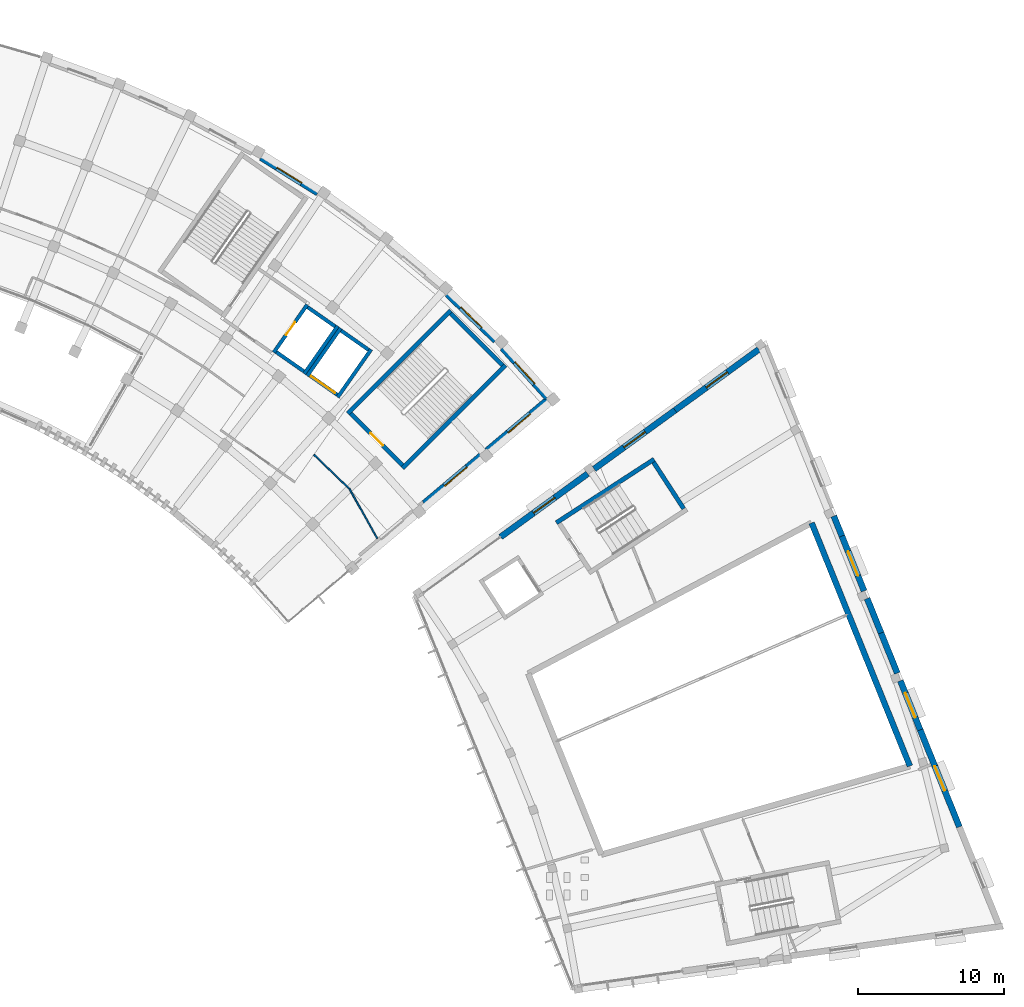
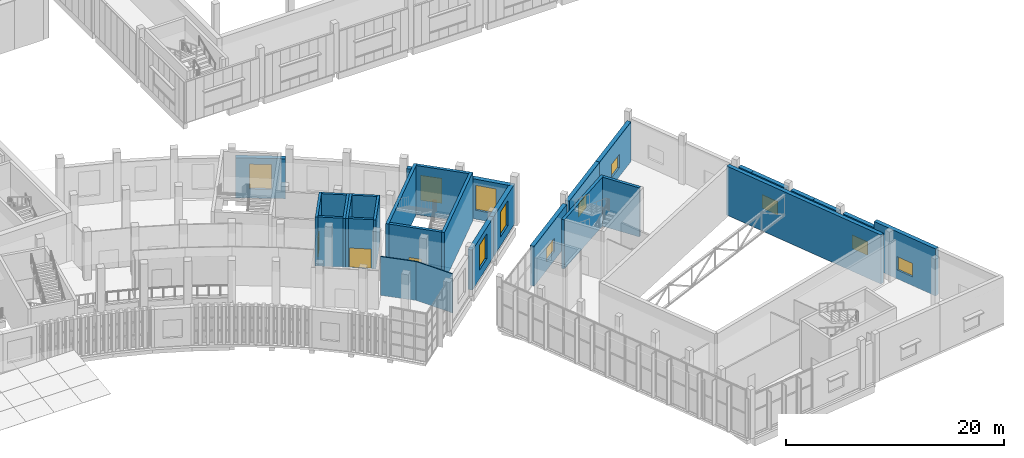
# One storey, part 62 of 112: 31 walls, 11 windows, 3 doors, 14 openings.
"""IFC4 building model written with IfcOpenShell, lengths in metres."""

import ifcopenshell
import ifcopenshell.guid

model = None  # the IFC model being written
_history = None  # IfcOwnerHistory: only IFC2X3 demands one
_inside = {}  # id of a spatial element -> (the spatial element, [elements in it])
_under = {}  # id of a project, library or spatial element -> (it, [spatial elements below it])
_declared = {}  # id of a project -> (the project, [libraries it declares])
_typed = {}  # id of a type object -> (the type object, [elements of that type])
_made_of = {}  # id of a material, layer set ... -> (it, [elements and type objects made of it])


def new_model(schema):
    """Start an empty IFC model of exactly this schema.

    Asked for "IFC4X3", IfcOpenShell would pick the latest addendum, in which some entities
    have other attributes; the version numbers below select the first issue.
    IFC2X3 requires an IfcOwnerHistory on every rooted entity: one is made here for all.
    """
    global model, _history
    if schema == "IFC4X3":
        model = ifcopenshell.file(schema_version=(4, 3, 0, 0))
    else:
        model = ifcopenshell.file(schema=schema)
    _inside.clear()
    _under.clear()
    _declared.clear()
    _typed.clear()
    _made_of.clear()
    _history = None
    if model.schema == "IFC2X3":
        org = make("IfcOrganization", Name="unknown")
        user = make(
            "IfcPersonAndOrganization",
            ThePerson=make("IfcPerson", FamilyName="unknown"),
            TheOrganization=org,
        )
        app = make(
            "IfcApplication",
            ApplicationDeveloper=org,
            Version="unknown",
            ApplicationFullName="unknown",
            ApplicationIdentifier="unknown",
        )
        _history = make(
            "IfcOwnerHistory",
            OwningUser=user,
            OwningApplication=app,
            ChangeAction="ADDED",
            CreationDate=0,
        )
    return model


def make(cls, **values):
    """One entity of the class cls with the attributes given. An attribute that is None is left unset."""
    return model.create_entity(
        cls, **{name: value for name, value in values.items() if value is not None}
    )


def rooted(cls, **values):
    """An entity with a GlobalId (a new one), such as an element, a storey or a relation."""
    return make(cls, GlobalId=ifcopenshell.guid.new(), OwnerHistory=_history, **values)


def si_unit(unit_type, name, prefix=None):
    """IfcSIUnit, for example si_unit("LENGTHUNIT", "METRE", prefix="MILLI")."""
    return make("IfcSIUnit", UnitType=unit_type, Prefix=prefix, Name=name)


def assignment(units):
    """IfcUnitAssignment: the units of a project."""
    return None if units is None else make("IfcUnitAssignment", Units=units)


def point(xyz):
    """IfcCartesianPoint."""
    return None if xyz is None else make("IfcCartesianPoint", Coordinates=xyz)


def direction(xyz):
    """IfcDirection."""
    return None if xyz is None else make("IfcDirection", DirectionRatios=xyz)


def frame(location, z_axis=None, x_axis=None):
    """IfcAxis2Placement3D, a coordinate frame: its origin and axes. An axis left out is left unset."""
    return make(
        "IfcAxis2Placement3D",
        Location=point(location),
        Axis=direction(z_axis),
        RefDirection=direction(x_axis),
    )


def frame_2d(location, x_axis=None):
    """IfcAxis2Placement2D, a coordinate frame in the plane: its origin and x axis."""
    return make(
        "IfcAxis2Placement2D", Location=point(location), RefDirection=direction(x_axis)
    )


def origin():
    """The frame at (0, 0, 0) with its axes left unset."""
    return frame((0.0, 0.0, 0.0))


def place(relative_to, where):
    """IfcLocalPlacement: puts the frame where relative to a parent placement (None: the world)."""
    return make(
        "IfcLocalPlacement", PlacementRelTo=relative_to, RelativePlacement=where
    )


def context(
    kind, dimensions, precision=None, world=None, true_north=None, identifier=None
):
    """IfcGeometricRepresentationContext, for example the 3D "Model" context."""
    return make(
        "IfcGeometricRepresentationContext",
        ContextIdentifier=identifier,
        ContextType=kind,
        CoordinateSpaceDimension=dimensions,
        Precision=precision,
        WorldCoordinateSystem=world,
        TrueNorth=true_north,
    )


def subcontext(parent, identifier, kind, view, scale=None):
    """IfcGeometricRepresentationSubContext, for example "Body" below "Model"."""
    return make(
        "IfcGeometricRepresentationSubContext",
        ContextIdentifier=identifier,
        ContextType=kind,
        ParentContext=parent,
        TargetScale=scale,
        TargetView=view,
    )


def project(units=None, contexts=None):
    """IfcProject with its units and contexts."""
    return rooted(
        "IfcProject",
        Name="project",
        RepresentationContexts=contexts,
        UnitsInContext=assignment(units),
    )


def spatial(cls, under=None, at=None, **own):
    """A site, building, storey or space (cls), placed at a placement, below another one or the project."""
    s = rooted(cls, ObjectPlacement=at, **own)
    if under is not None:
        _under.setdefault(under.id(), (under, []))[1].append(s)
    return s


def profile(cls, at=None, kind="AREA", **sizes):
    """A parametric profile (cls). Its sizes go by their IFC names, for example OverallWidth=200.0."""
    return make(cls, ProfileType=kind, Position=at, **sizes)


def rectangle(**sizes):
    """IfcRectangleProfileDef."""
    return profile("IfcRectangleProfileDef", **sizes)


def extrude(swept, where, along, depth):
    """IfcExtrudedAreaSolid: the profile swept, set in the frame where, extruded along a direction by depth."""
    return make(
        "IfcExtrudedAreaSolid",
        SweptArea=swept,
        Position=where,
        ExtrudedDirection=direction(along),
        Depth=depth,
    )


def shape(context_of_items, identifier, shape_type, items):
    """IfcShapeRepresentation: the items that make up one representation, for example the "Body"."""
    return make(
        "IfcShapeRepresentation",
        ContextOfItems=context_of_items,
        RepresentationIdentifier=identifier,
        RepresentationType=shape_type,
        Items=items,
    )


def material(Name=None, Category=None):
    """IfcMaterial."""
    return make("IfcMaterial", Name=Name, Category=Category)


def layer(
    of_material, thickness, ventilated=None, Name=None, Category=None, Priority=None
):
    """IfcMaterialLayer: one layer of a wall or slab, of a material (None: an air gap)."""
    return make(
        "IfcMaterialLayer",
        Material=of_material,
        LayerThickness=thickness,
        IsVentilated=ventilated,
        Name=Name,
        Category=Category,
        Priority=Priority,
    )


def layer_set(layers, Name=None):
    """IfcMaterialLayerSet."""
    return make("IfcMaterialLayerSet", MaterialLayers=layers, LayerSetName=Name)


def made_of(thing, what):
    """Note that an element or type object is made of a material, layer set ...; save() writes the relation."""
    if what is not None:
        _made_of.setdefault(what.id(), (what, []))[1].append(thing)
    return thing


def type_object(cls, material=None, **own):
    """A type object (cls), such as IfcWallType, which elements share."""
    return made_of(rooted(cls, **own), material)


def element(
    cls,
    number,
    at=None,
    inside=None,
    cuts=None,
    type_object=None,
    material=None,
    context=None,
    identifier="Body",
    shape_type=None,
    held_by="IfcProductDefinitionShape",
    body=None,
    shapes=None,
    **own,
):
    """One element of the class cls, such as IfcWall. Its Tag is "e" and its number.

    at: its placement. inside: the storey or other place that contains it. cuts: it is an
    opening in that element (IfcRelVoidsElement). A single representation is given by context,
    identifier, shape_type and body (its items); several are given by shapes. held_by: the class
    of the entity that holds the representations. save() writes the other relations.
    """
    e = rooted(cls, Tag="e%d" % number, ObjectPlacement=at, **own)
    if body is not None:
        shapes = [shape(context, identifier, shape_type, body)]
    if shapes is not None:
        e.Representation = make(held_by, Representations=shapes)
    if inside is not None:
        _inside.setdefault(inside.id(), (inside, []))[1].append(e)
    if cuts is not None:
        rooted(
            "IfcRelVoidsElement", RelatingBuildingElement=cuts, RelatedOpeningElement=e
        )
    if type_object is not None:
        _typed.setdefault(type_object.id(), (type_object, []))[1].append(e)
    return made_of(e, material)


def fill(opening, filler):
    """IfcRelFillsElement: the door or window that sits in an opening."""
    return rooted(
        "IfcRelFillsElement",
        RelatingOpeningElement=opening,
        RelatedBuildingElement=filler,
    )


def aggregate(whole, parts):
    """IfcRelAggregates: a whole, such as a stair, and the parts it consists of."""
    return rooted("IfcRelAggregates", RelatingObject=whole, RelatedObjects=parts)


def save(model, path):
    """Write the relations noted so far, then the file.

    IfcRelAggregates (storeys below a building ...), IfcRelContainedInSpatialStructure (elements
    in a storey), IfcRelDefinesByType, IfcRelAssociatesMaterial and IfcRelDeclares: one each for
    every whole, place, type object, material and project.
    """
    for whole, parts in _under.values():
        aggregate(whole, parts)
    for where, things in _inside.values():
        rooted(
            "IfcRelContainedInSpatialStructure",
            RelatedElements=things,
            RelatingStructure=where,
        )
    for kind, things in _typed.values():
        rooted("IfcRelDefinesByType", RelatedObjects=things, RelatingType=kind)
    for what, things in _made_of.values():
        rooted("IfcRelAssociatesMaterial", RelatedObjects=things, RelatingMaterial=what)
    for by, libraries in _declared.values():
        rooted("IfcRelDeclares", RelatingContext=by, RelatedDefinitions=libraries)
    model.write(path)


model = new_model("IFC4")

# Units and contexts
model_context = context("Model", 3, precision=1e-05, world=origin(), true_north=direction((0.0, 1.0)))
body_context = subcontext(model_context, "Body", "Model", "MODEL_VIEW")
ifc_project = project(units=[si_unit("LENGTHUNIT", "METRE"), si_unit("AREAUNIT", "SQUARE_METRE"), si_unit("VOLUMEUNIT", "CUBIC_METRE"), si_unit("PLANEANGLEUNIT", "RADIAN"), si_unit("MASSUNIT", "GRAM", prefix="KILO")], contexts=[model_context])

# Site, building, storey
site_placement = place(None, origin())
site = spatial("IfcSite", under=ifc_project, at=site_placement, CompositionType="ELEMENT")
building_placement = place(site_placement, origin())
building = spatial("IfcBuilding", under=site, at=building_placement, Name="Lunette Opera House", CompositionType="ELEMENT")
storey_placement = place(building_placement, frame((0.0, 0.0, 6.0)))
storey = spatial("IfcBuildingStorey", under=building, at=storey_placement, Name="L01", CompositionType="ELEMENT", Elevation=6.0)

# Wall, opening, window
ifc_material_1 = material(Name="Clinker brick", Category="masonry")
ifc_layer_1 = layer(ifc_material_1, 0.449951171875)
ifc_layer_set_1 = layer_set([ifc_layer_1], Name="Clinker brick")
wall_type_1 = type_object("IfcWallType", Name="ARM END WALL 450", PredefinedType="SOLIDWALL", material=ifc_layer_set_1)
wall_1_placement = place(storey_placement, frame((145.366943359375, 41.718017578125, 0.0), z_axis=(0.0, 0.0, 1.0), x_axis=(0.766076229388, 0.642749726384, 0.0)))
wall_1 = element("IfcWall", 1, at=wall_1_placement, inside=storey, type_object=wall_type_1, Name="Arm End Wall 450 EN-E2 L01", PredefinedType="SOLIDWALL", context=body_context, shape_type="SweptSolid", body=[
    extrude(rectangle(XDim=5.68359375, YDim=0.449951171875, at=frame_2d((2.841796875, 0.0))), origin(), (0.0, 0.0, 1.0), 4.47998046875),
])
opening_1_placement = place(wall_1_placement, frame((1.842041015625, 0.0, 1.0)))
opening_1 = element("IfcOpeningElement", 2, at=opening_1_placement, cuts=wall_1, Name="Opening FC-N2096", PredefinedType="OPENING", context=body_context, shape_type="SweptSolid", body=[
    extrude(rectangle(XDim=2.0, YDim=2.800048828125, at=frame_2d((1.0, 1.39990234375))), frame((0.0, 0.237060546875, 0.0), z_axis=(0.0, -1.0, 0.0), x_axis=(1.0, 0.0, 0.0)), (0.0, 0.0, 1.0), 0.473876953125),
])
ifc_material_2 = material(Name="Aluminium", Category="aluminium")
window_type_1 = type_object("IfcWindowType", Name="ARM WINDOW 2000 X 2800", PartitioningType="DOUBLE_PANEL_VERTICAL", PredefinedType="WINDOW", material=ifc_material_2)
window_1_placement = place(opening_1_placement, origin())
window_1 = element("IfcWindow", 3, at=window_1_placement, inside=storey, type_object=window_type_1, Name="Arm Window 2000 X 2800 EN-E2 L01", OverallHeight=2.800048828125, OverallWidth=2.0, PartitioningType="DOUBLE_PANEL_VERTICAL", PredefinedType="WINDOW", context=body_context, shape_type="SweptSolid", body=[
    extrude(rectangle(XDim=2.0, YDim=2.800048828125, at=frame_2d((1.0, 1.39990234375))), frame((0.0, 0.030029296875, 0.0), z_axis=(0.0, -1.0, 0.0), x_axis=(1.0, 0.0, 0.0)), (0.0, 0.0, 1.0), 0.06005859375),
])
fill(opening_1, window_1)

wall_2_placement = place(storey_placement, frame((149.720947265625, 45.37109375, 0.0), z_axis=(0.0, 0.0, 1.0), x_axis=(0.766097380859, 0.642724515668, 0.0)))
wall_2 = element("IfcWall", 4, at=wall_2_placement, inside=storey, type_object=wall_type_1, Name="Arm End Wall 450 EN-E3 L01", PredefinedType="SOLIDWALL", context=body_context, shape_type="SweptSolid", body=[
    extrude(rectangle(XDim=5.683349609375, YDim=0.449951171875, at=frame_2d((2.841796875, 0.0))), origin(), (0.0, 0.0, 1.0), 4.47998046875),
])
opening_2_placement = place(wall_2_placement, frame((1.842041015625, 0.0, 1.0)))
opening_2 = element("IfcOpeningElement", 5, at=opening_2_placement, cuts=wall_2, Name="Opening FC-N2097", PredefinedType="OPENING", context=body_context, shape_type="SweptSolid", body=[
    extrude(rectangle(XDim=2.0, YDim=2.800048828125, at=frame_2d((1.0, 1.39990234375))), frame((0.0, 0.237060546875, 0.0), z_axis=(0.0, -1.0, 0.0), x_axis=(1.0, 0.0, 0.0)), (0.0, 0.0, 1.0), 0.473876953125),
])
window_2_placement = place(opening_2_placement, origin())
window_2 = element("IfcWindow", 6, at=window_2_placement, inside=storey, type_object=window_type_1, Name="Arm Window 2000 X 2800 EN-E3 L01", OverallHeight=2.800048828125, OverallWidth=2.0, PartitioningType="DOUBLE_PANEL_VERTICAL", PredefinedType="WINDOW", context=body_context, shape_type="SweptSolid", body=[
    extrude(rectangle(XDim=2.0, YDim=2.800048828125, at=frame_2d((1.0, 1.39990234375))), frame((0.0, 0.030029296875, 0.0), z_axis=(0.0, -1.0, 0.0), x_axis=(1.0, 0.0, 0.0)), (0.0, 0.0, 1.0), 0.06005859375),
])
fill(opening_2, window_2)

ifc_material_3 = material(Name="Clinker brick", Category="masonry")
ifc_layer_2 = layer(ifc_material_3, 0.449951171875)
ifc_layer_set_2 = layer_set([ifc_layer_2], Name="Clinker brick")
wall_type_2 = type_object("IfcWallType", Name="ARM RAIN SCREEN WALL 450", PredefinedType="SOLIDWALL", material=ifc_layer_set_2)
wall_3_placement = place(storey_placement, frame((134.18505859375, 65.43798828125, 0.0), z_axis=(0.0, 0.0, 1.0), x_axis=(0.847869758982, -0.530204556567, 0.0)))
wall_3 = element("IfcWall", 7, at=wall_3_placement, inside=storey, type_object=wall_type_2, Name="Arm Rain Screen Wall 450 BW-CE04 L01", PredefinedType="SOLIDWALL", context=body_context, shape_type="SweptSolid", body=[
    extrude(rectangle(XDim=4.589111328125, YDim=0.449951171875, at=frame_2d((2.29443359375, 0.0))), origin(), (0.0, 0.0, 1.0), 4.47998046875),
])
opening_3_placement = place(wall_3_placement, frame((1.2939453125, 0.0, 1.0)))
opening_3 = element("IfcOpeningElement", 8, at=opening_3_placement, cuts=wall_3, Name="Opening FC-N2154", PredefinedType="OPENING", context=body_context, shape_type="SweptSolid", body=[
    extrude(rectangle(XDim=2.0, YDim=2.800048828125, at=frame_2d((1.0, 1.39990234375))), frame((0.0, 0.237060546875, 0.0), z_axis=(0.0, -1.0, 0.0), x_axis=(1.0, 0.0, 0.0)), (0.0, 0.0, 1.0), 0.473876953125),
])
window_3_placement = place(opening_3_placement, origin())
window_3 = element("IfcWindow", 9, at=window_3_placement, inside=storey, type_object=window_type_1, Name="Arm Window 2000 X 2800 BW-CE04 L01", OverallHeight=2.800048828125, OverallWidth=2.0, PartitioningType="DOUBLE_PANEL_VERTICAL", PredefinedType="WINDOW", context=body_context, shape_type="SweptSolid", body=[
    extrude(rectangle(XDim=2.0, YDim=2.800048828125, at=frame_2d((1.0, 1.39990234375))), frame((0.0, 0.030029296875, 0.0), z_axis=(0.0, -1.0, 0.0), x_axis=(1.0, 0.0, 0.0)), (0.0, 0.0, 1.0), 0.06005859375),
])
fill(opening_3, window_3)

wall_4_placement = place(storey_placement, frame((146.955078125, 56.069091796875, 0.0), z_axis=(0.0, 0.0, 1.0), x_axis=(0.71931528768, -0.694683753164, 0.0)))
wall_4 = element("IfcWall", 10, at=wall_4_placement, inside=storey, type_object=wall_type_2, Name="Arm Rain Screen Wall 450 BW-CE07 L01", PredefinedType="SOLIDWALL", context=body_context, shape_type="SweptSolid", body=[
    extrude(rectangle(XDim=4.589111328125, YDim=0.449951171875, at=frame_2d((2.29443359375, 0.0))), origin(), (0.0, 0.0, 1.0), 4.47998046875),
])
opening_4_placement = place(wall_4_placement, frame((1.294921875, 0.0, 1.0)))
opening_4 = element("IfcOpeningElement", 11, at=opening_4_placement, cuts=wall_4, Name="Opening FC-N2168", PredefinedType="OPENING", context=body_context, shape_type="SweptSolid", body=[
    extrude(rectangle(XDim=2.0, YDim=2.800048828125, at=frame_2d((1.0, 1.39990234375))), frame((0.0, 0.237060546875, 0.0), z_axis=(0.0, -1.0, 0.0), x_axis=(1.0, 0.0, 0.0)), (0.0, 0.0, 1.0), 0.473876953125),
])
window_4_placement = place(opening_4_placement, origin())
window_4 = element("IfcWindow", 12, at=window_4_placement, inside=storey, type_object=window_type_1, Name="Arm Window 2000 X 2800 BW-CE07 L01", OverallHeight=2.800048828125, OverallWidth=2.0, PartitioningType="DOUBLE_PANEL_VERTICAL", PredefinedType="WINDOW", context=body_context, shape_type="SweptSolid", body=[
    extrude(rectangle(XDim=2.0, YDim=2.800048828125, at=frame_2d((1.0, 1.39990234375))), frame((0.0, 0.030029296875, 0.0), z_axis=(0.0, -1.0, 0.0), x_axis=(1.0, 0.0, 0.0)), (0.0, 0.0, 1.0), 0.06005859375),
])
fill(opening_4, window_4)

wall_5_placement = place(storey_placement, frame((150.741943359375, 52.3779296875, 0.0), z_axis=(0.0, 0.0, 1.0), x_axis=(0.669114598818, -0.74315923842, 0.0)))
wall_5 = element("IfcWall", 13, at=wall_5_placement, inside=storey, type_object=wall_type_2, Name="Arm Rain Screen Wall 450 BW-CE08 L01", PredefinedType="SOLIDWALL", context=body_context, shape_type="SweptSolid", body=[
    extrude(rectangle(XDim=4.589599609375, YDim=0.449951171875, at=frame_2d((2.294921875, 0.0))), origin(), (0.0, 0.0, 1.0), 4.47998046875),
])
opening_5_placement = place(wall_5_placement, frame((1.294921875, 0.0, 1.0)))
opening_5 = element("IfcOpeningElement", 14, at=opening_5_placement, cuts=wall_5, Name="Opening FC-N2173", PredefinedType="OPENING", context=body_context, shape_type="SweptSolid", body=[
    extrude(rectangle(XDim=2.0, YDim=2.800048828125, at=frame_2d((1.0, 1.39990234375))), frame((0.0, 0.237060546875, 0.0), z_axis=(0.0, -1.0, 0.0), x_axis=(1.0, 0.0, 0.0)), (0.0, 0.0, 1.0), 0.473876953125),
])
window_5_placement = place(opening_5_placement, origin())
window_5 = element("IfcWindow", 15, at=window_5_placement, inside=storey, type_object=window_type_1, Name="Arm Window 2000 X 2800 BW-CE08 L01", OverallHeight=2.800048828125, OverallWidth=2.0, PartitioningType="DOUBLE_PANEL_VERTICAL", PredefinedType="WINDOW", context=body_context, shape_type="SweptSolid", body=[
    extrude(rectangle(XDim=2.0, YDim=2.800048828125, at=frame_2d((1.0, 1.39990234375))), frame((0.0, 0.030029296875, 0.0), z_axis=(0.0, -1.0, 0.0), x_axis=(1.0, 0.0, 0.0)), (0.0, 0.0, 1.0), 0.06005859375),
])
fill(opening_5, window_5)

# Walls
ifc_material_4 = material(Name="Concrete C35/45", Category="concrete")
ifc_layer_3 = layer(ifc_material_4, 0.25)
ifc_layer_set_3 = layer_set([ifc_layer_3], Name="Concrete C35/45")
wall_type_3 = type_object("IfcWallType", Name="RC LIFT SHAFT WALL 250", PredefinedType="SOLIDWALL", material=ifc_layer_set_3)
wall_6_placement = place(storey_placement, frame((135.22509765625, 52.097900390625, 0.0), z_axis=(0.0, 0.0, 1.0), x_axis=(0.819366508838, -0.573270027295, 0.0)))
element("IfcWall", 16, at=wall_6_placement, inside=storey, type_object=wall_type_3, Name="FL1 shaft wall 1", PredefinedType="SOLIDWALL", context=body_context, shape_type="SweptSolid", body=[
    extrude(rectangle(XDim=2.300537109375, YDim=0.25, at=frame_2d((1.150390625, 0.0))), origin(), (0.0, 0.0, 1.0), 5.5),
])
wall_7_placement = place(storey_placement, frame((137.14111328125, 50.60498046875, 0.0), z_axis=(0.0, 0.0, 1.0), x_axis=(0.573572956461, 0.819154480923, 0.0)))
element("IfcWall", 17, at=wall_7_placement, inside=storey, type_object=wall_type_3, Name="FL1 shaft wall 2", PredefinedType="SOLIDWALL", context=body_context, shape_type="SweptSolid", body=[
    extrude(rectangle(XDim=3.99951171875, YDim=0.25, at=frame_2d((1.999755859375, 0.0))), origin(), (0.0, 0.0, 1.0), 5.5),
])
wall_8_placement = place(storey_placement, frame((139.260986328125, 53.85009765625, 0.0), z_axis=(0.0, 0.0, 1.0), x_axis=(-0.819226933165, 0.573469469089, 0.0)))
element("IfcWall", 18, at=wall_8_placement, inside=storey, type_object=wall_type_3, Name="FL1 shaft wall 3", PredefinedType="SOLIDWALL", context=body_context, shape_type="SweptSolid", body=[
    extrude(rectangle(XDim=2.2998046875, YDim=0.25, at=frame_2d((1.14990234375, 0.0))), origin(), (0.0, 0.0, 1.0), 5.5),
])

# Wall, opening, door
wall_9_placement = place(storey_placement, frame((137.345947265625, 55.343017578125, 0.0), z_axis=(0.0, 0.0, 1.0), x_axis=(-0.573736768582, -0.819039755065, 0.0)))
wall_9 = element("IfcWall", 19, at=wall_9_placement, inside=storey, type_object=wall_type_3, Name="FL1 shaft wall 4", PredefinedType="SOLIDWALL", context=body_context, shape_type="SweptSolid", body=[
    extrude(rectangle(XDim=4.0, YDim=0.25, at=frame_2d((2.0, 0.0))), origin(), (0.0, 0.0, 1.0), 5.5),
])
opening_6_placement = place(wall_9_placement, frame((1.449951171875, 0.0, 0.0)))
opening_6 = element("IfcOpeningElement", 20, at=opening_6_placement, cuts=wall_9, Name="Opening FC-LD003", PredefinedType="OPENING", context=body_context, shape_type="SweptSolid", body=[
    extrude(rectangle(XDim=1.10009765625, YDim=2.10009765625, at=frame_2d((0.550048828125, 1.050048828125))), frame((0.0, 0.136962890625, 0.0), z_axis=(0.0, -1.0, 0.0), x_axis=(1.0, 0.0, 0.0)), (0.0, 0.0, 1.0), 0.27392578125),
])
ifc_material_5 = material(Name="Stainless steel", Category="steel")
door_type_1 = type_object("IfcDoorType", Name="LIFT LANDING DOOR 1100 X 2100", OperationType="DOUBLE_DOOR_SLIDING", PredefinedType="DOOR", material=ifc_material_5)
door_1_placement = place(opening_6_placement, origin())
door_1 = element("IfcDoor", 21, at=door_1_placement, inside=storey, type_object=door_type_1, Name="FL1 lift landing door", OperationType="DOUBLE_DOOR_SLIDING", OverallHeight=2.10009765625, OverallWidth=1.10009765625, PredefinedType="DOOR", context=body_context, shape_type="SweptSolid", body=[
    extrude(rectangle(XDim=1.10009765625, YDim=2.10009765625, at=frame_2d((0.550048828125, 1.050048828125))), frame((0.0, 0.02490234375, 0.0), z_axis=(0.0, -1.0, 0.0), x_axis=(1.0, 0.0, 0.0)), (0.0, 0.0, 1.0), 0.050048828125),
])
fill(opening_6, door_1)

wall_10_placement = place(storey_placement, frame((137.51904296875, 50.491943359375, 0.0), z_axis=(0.0, 0.0, 1.0), x_axis=(0.819366508838, -0.573270027295, 0.0)))
wall_10 = element("IfcWall", 22, at=wall_10_placement, inside=storey, type_object=wall_type_3, Name="LF2 shaft wall 1", PredefinedType="SOLIDWALL", context=body_context, shape_type="SweptSolid", body=[
    extrude(rectangle(XDim=2.300537109375, YDim=0.25, at=frame_2d((1.150390625, 0.0))), origin(), (0.0, 0.0, 1.0), 5.5),
])
opening_7_placement = place(wall_10_placement, frame((0.10009765625, 0.0, 0.0)))
opening_7 = element("IfcOpeningElement", 23, at=opening_7_placement, cuts=wall_10, Name="Opening FC-LD021", PredefinedType="OPENING", context=body_context, shape_type="SweptSolid", body=[
    extrude(rectangle(XDim=2.0, YDim=2.199951171875, at=frame_2d((1.0, 1.10009765625))), frame((0.0, 0.136962890625, 0.0), z_axis=(0.0, -1.0, 0.0), x_axis=(1.0, 0.0, 0.0)), (0.0, 0.0, 1.0), 0.27392578125),
])
ifc_material_6 = material(Name="Stainless steel", Category="steel")
door_type_2 = type_object("IfcDoorType", Name="LIFT LANDING DOOR 2000 X 2200", OperationType="DOUBLE_DOOR_SLIDING", PredefinedType="DOOR", material=ifc_material_6)
door_2_placement = place(opening_7_placement, origin())
door_2 = element("IfcDoor", 24, at=door_2_placement, inside=storey, type_object=door_type_2, Name="LF2 lift landing door", OperationType="DOUBLE_DOOR_SLIDING", OverallHeight=2.199951171875, OverallWidth=2.0, PredefinedType="DOOR", context=body_context, shape_type="SweptSolid", body=[
    extrude(rectangle(XDim=2.0, YDim=2.199951171875, at=frame_2d((1.0, 1.10009765625))), frame((0.0, 0.02490234375, 0.0), z_axis=(0.0, -1.0, 0.0), x_axis=(1.0, 0.0, 0.0)), (0.0, 0.0, 1.0), 0.050048828125),
])
fill(opening_7, door_2)

# Walls
wall_11_placement = place(storey_placement, frame((139.43505859375, 48.9990234375, 0.0), z_axis=(0.0, 0.0, 1.0), x_axis=(0.57360163893, 0.819134396675, 0.0)))
element("IfcWall", 25, at=wall_11_placement, inside=storey, type_object=wall_type_3, Name="LF2 shaft wall 2", PredefinedType="SOLIDWALL", context=body_context, shape_type="SweptSolid", body=[
    extrude(rectangle(XDim=3.999267578125, YDim=0.25, at=frame_2d((1.99951171875, 0.0))), origin(), (0.0, 0.0, 1.0), 5.5),
])
wall_12_placement = place(storey_placement, frame((141.554931640625, 52.243896484375, 0.0), z_axis=(0.0, 0.0, 1.0), x_axis=(-0.819316661421, 0.57334126689, 0.0)))
element("IfcWall", 26, at=wall_12_placement, inside=storey, type_object=wall_type_3, Name="LF2 shaft wall 3", PredefinedType="SOLIDWALL", context=body_context, shape_type="SweptSolid", body=[
    extrude(rectangle(XDim=2.30078125, YDim=0.25, at=frame_2d((1.150390625, 0.0))), origin(), (0.0, 0.0, 1.0), 5.5),
])
wall_13_placement = place(storey_placement, frame((139.638916015625, 53.737060546875, 0.0), z_axis=(0.0, 0.0, 1.0), x_axis=(-0.573572956461, -0.819154480923, 0.0)))
element("IfcWall", 27, at=wall_13_placement, inside=storey, type_object=wall_type_3, Name="LF2 shaft wall 4", PredefinedType="SOLIDWALL", context=body_context, shape_type="SweptSolid", body=[
    extrude(rectangle(XDim=3.99951171875, YDim=0.25, at=frame_2d((1.999755859375, 0.0))), origin(), (0.0, 0.0, 1.0), 5.5),
])
ifc_material_7 = material(Name="Concrete C35/45", Category="concrete")
ifc_layer_4 = layer(ifc_material_7, 0.300048828125)
ifc_layer_set_4 = layer_set([ifc_layer_4], Name="Concrete C35/45")
wall_type_4 = type_object("IfcWallType", Name="RC STAIR ENCLOSURE WALL 300", PredefinedType="SOLIDWALL", material=ifc_layer_set_4)
wall_14_placement = place(storey_placement, frame((163.1640625, 41.35107421875, 0.0), z_axis=(0.0, 0.0, 1.0), x_axis=(-0.544414712312, 0.838816202167, 0.0)))
element("IfcWall", 28, at=wall_14_placement, inside=storey, type_object=wall_type_4, Name="ST21 enclosure wall 3", PredefinedType="SOLIDWALL", context=body_context, shape_type="SweptSolid", body=[
    extrude(rectangle(XDim=3.800537109375, YDim=0.300048828125, at=frame_2d((1.900390625, 0.0))), origin(), (0.0, 0.0, 1.0), 5.5),
])
wall_15_placement = place(storey_placement, frame((161.138916015625, 44.74609375, 0.0), z_axis=(0.0, 0.0, 1.0), x_axis=(-0.838633189021, -0.544696589187, 0.0)))
element("IfcWall", 29, at=wall_15_placement, inside=storey, type_object=wall_type_4, Name="ST21 enclosure wall 4", PredefinedType="SOLIDWALL", context=body_context, shape_type="SweptSolid", body=[
    extrude(rectangle(XDim=8.0009765625, YDim=0.300048828125, at=frame_2d((4.00048828125, 0.0))), origin(), (0.0, 0.0, 1.0), 5.5),
])

# Wall, opening, door
wall_16_placement = place(storey_placement, frame((140.3349609375, 47.87109375, 0.0), z_axis=(0.0, 0.0, 1.0), x_axis=(0.707106781187, -0.707106781187, 0.0)))
wall_16 = element("IfcWall", 30, at=wall_16_placement, inside=storey, type_object=wall_type_4, Name="ST4 enclosure wall 1", PredefinedType="SOLIDWALL", context=body_context, shape_type="SweptSolid", body=[
    extrude(rectangle(XDim=5.000732421875, YDim=0.300048828125, at=frame_2d((2.50048828125, 0.0))), origin(), (0.0, 0.0, 1.0), 5.5),
])
opening_8_placement = place(wall_16_placement, frame((1.89990234375, 0.0, 0.0)))
opening_8 = element("IfcOpeningElement", 31, at=opening_8_placement, cuts=wall_16, Name="Opening FC-D7027", PredefinedType="OPENING", context=body_context, shape_type="SweptSolid", body=[
    extrude(rectangle(XDim=1.199951171875, YDim=2.10009765625, at=frame_2d((0.60009765625, 1.050048828125))), frame((0.0, 0.162109375, 0.0), z_axis=(0.0, -1.0, 0.0), x_axis=(1.0, 0.0, 0.0)), (0.0, 0.0, 1.0), 0.323974609375),
])
ifc_material_8 = material(Name="Steel", Category="steel")
door_type_3 = type_object("IfcDoorType", Name="FIRE DOOR 1200 X 2100", OperationType="SINGLE_SWING_LEFT", PredefinedType="DOOR", material=ifc_material_8)
door_3_placement = place(opening_8_placement, origin())
door_3 = element("IfcDoor", 32, at=door_3_placement, inside=storey, type_object=door_type_3, Name="ST4 stair door", OperationType="SINGLE_SWING_LEFT", OverallHeight=2.10009765625, OverallWidth=1.199951171875, PredefinedType="DOOR", context=body_context, shape_type="SweptSolid", body=[
    extrude(rectangle(XDim=1.199951171875, YDim=2.10009765625, at=frame_2d((0.60009765625, 1.050048828125))), frame((0.0, 0.02490234375, 0.0), z_axis=(0.0, -1.0, 0.0), x_axis=(1.0, 0.0, 0.0)), (0.0, 0.0, 1.0), 0.050048828125),
])
fill(opening_8, door_3)

# Walls
wall_17_placement = place(storey_placement, frame((143.87109375, 44.123046875, 0.0), z_axis=(0.0, 0.0, 1.0), x_axis=(0.7070945738, 0.707118988363, 0.0)))
element("IfcWall", 33, at=wall_17_placement, inside=storey, type_object=wall_type_4, Name="ST4 enclosure wall 2", PredefinedType="SOLIDWALL", context=body_context, shape_type="SweptSolid", body=[
    extrude(rectangle(XDim=9.999755859375, YDim=0.300048828125, at=frame_2d((5.0, 0.0))), origin(), (0.0, 0.0, 1.0), 5.5),
])
wall_18_placement = place(storey_placement, frame((150.72998046875, 51.194091796875, 0.0), z_axis=(0.0, 0.0, 1.0), x_axis=(-0.707106781187, 0.707106781187, 0.0)))
element("IfcWall", 34, at=wall_18_placement, inside=storey, type_object=wall_type_4, Name="ST4 enclosure wall 3", PredefinedType="SOLIDWALL", context=body_context, shape_type="SweptSolid", body=[
    extrude(rectangle(XDim=5.00048828125, YDim=0.300048828125, at=frame_2d((2.500244140625, 0.0))), origin(), (0.0, 0.0, 1.0), 5.5),
])
wall_19_placement = place(storey_placement, frame((147.194091796875, 54.94189453125, 0.0), z_axis=(0.0, 0.0, 1.0), x_axis=(-0.707118988363, -0.7070945738, 0.0)))
element("IfcWall", 35, at=wall_19_placement, inside=storey, type_object=wall_type_4, Name="ST4 enclosure wall 4", PredefinedType="SOLIDWALL", context=body_context, shape_type="SweptSolid", body=[
    extrude(rectangle(XDim=9.999755859375, YDim=0.300048828125, at=frame_2d((5.0, 0.0))), origin(), (0.0, 0.0, 1.0), 5.5),
])
ifc_material_9 = material(Name="Concrete C35/45", Category="concrete")
ifc_layer_5 = layer(ifc_material_9, 0.39990234375)
ifc_layer_set_5 = layer_set([ifc_layer_5], Name="Concrete C35/45")
wall_type_5 = type_object("IfcWallType", Name="RC WALL 400", PredefinedType="SHEAR", material=ifc_layer_set_5)
wall_20_placement = place(storey_placement, frame((178.6689453125, 23.705078125, 0.0), z_axis=(0.0, 0.0, 1.0), x_axis=(-0.374642655757, 0.92716928362, 0.0)))
element("IfcWall", 36, at=wall_20_placement, inside=storey, type_object=wall_type_5, Name="wall-SB-L01-HW4", PredefinedType="SHEAR", context=body_context, shape_type="SweptSolid", body=[
    extrude(rectangle(XDim=17.9794921875, YDim=0.39990234375, at=frame_2d((8.98974609375, 0.0))), origin(), (0.0, 0.0, 1.0), 5.5),
])
ifc_material_10 = material(Name="Gypsum board on steel studs", Category="steel")
ifc_layer_6 = layer(ifc_material_10, 0.10009765625)
ifc_layer_set_6 = layer_set([ifc_layer_6], Name="Gypsum board on steel studs")
wall_type_6 = type_object("IfcWallType", Name="STUD PARTITION 100", PredefinedType="PARTITIONING", material=ifc_layer_set_6)
wall_21_placement = place(storey_placement, frame((140.239013671875, 42.720947265625, 0.0), z_axis=(0.0, 0.0, 1.0), x_axis=(0.488780296496, -0.872406912946, 0.0)))
element("IfcWall", 37, at=wall_21_placement, inside=storey, type_object=wall_type_6, Name="Partition Promenade Foyer L01 Rear", PredefinedType="PARTITIONING", context=body_context, shape_type="SweptSolid", body=[
    extrude(rectangle(XDim=3.907470703125, YDim=0.10009765625, at=frame_2d((1.95361328125, 0.0))), origin(), (0.0, 0.0, 1.0), 4.3798828125),
])
wall_22_placement = place(storey_placement, frame((137.81103515625, 45.06689453125, 0.0), z_axis=(0.0, 0.0, 1.0), x_axis=(0.719150966755, -0.694853860186, 0.0)))
element("IfcWall", 38, at=wall_22_placement, inside=storey, type_object=wall_type_6, Name="Partition Promenade Foyer L01 Rear", PredefinedType="PARTITIONING", context=body_context, shape_type="SweptSolid", body=[
    extrude(rectangle(XDim=3.376220703125, YDim=0.10009765625, at=frame_2d((1.68798828125, 0.0))), origin(), (0.0, 0.0, 1.0), 4.3798828125),
])

# Wall, opening, window
ifc_material_11 = material(Name="Clinker brick", Category="masonry")
ifc_layer_7 = layer(ifc_material_11, 0.419921875)
ifc_layer_set_7 = layer_set([ifc_layer_7], Name="Clinker brick")
wall_type_7 = type_object("IfcWallType", Name="STUDIO BRICK WALL 420", PredefinedType="SOLIDWALL", material=ifc_layer_set_7)
wall_23_placement = place(storey_placement, frame((168.30810546875, 52.27490234375, 0.0), z_axis=(0.0, 0.0, 1.0), x_axis=(-0.809045488559, -0.587746031414, 0.0)))
wall_23 = element("IfcWall", 39, at=wall_23_placement, inside=storey, type_object=wall_type_7, Name="Studio Brick Wall 420 F01 L01", PredefinedType="SOLIDWALL", context=body_context, shape_type="SweptSolid", body=[
    extrude(rectangle(XDim=7.0947265625, YDim=0.419921875, at=frame_2d((3.54736328125, 0.0))), origin(), (0.0, 0.0, 1.0), 4.47998046875),
])
opening_9_placement = place(wall_23_placement, frame((2.64794921875, 0.0, 1.0)))
opening_9 = element("IfcOpeningElement", 40, at=opening_9_placement, cuts=wall_23, Name="Opening SB-N2001", PredefinedType="OPENING", context=body_context, shape_type="SweptSolid", body=[
    extrude(rectangle(XDim=1.800048828125, YDim=1.5, at=frame_2d((0.89990234375, 0.75))), frame((0.0, 0.221923828125, 0.0), z_axis=(0.0, -1.0, 0.0), x_axis=(1.0, 0.0, 0.0)), (0.0, 0.0, 1.0), 0.44384765625),
])
ifc_material_12 = material(Name="Aluminium", Category="aluminium")
window_type_2 = type_object("IfcWindowType", Name="STUDIO WINDOW 1800 X 1500", PartitioningType="DOUBLE_PANEL_VERTICAL", PredefinedType="WINDOW", material=ifc_material_12)
window_6_placement = place(opening_9_placement, origin())
window_6 = element("IfcWindow", 41, at=window_6_placement, inside=storey, type_object=window_type_2, Name="Studio Window 1800 X 1500 F01 L01", OverallHeight=1.5, OverallWidth=1.800048828125, PartitioningType="DOUBLE_PANEL_VERTICAL", PredefinedType="WINDOW", context=body_context, shape_type="SweptSolid", body=[
    extrude(rectangle(XDim=1.800048828125, YDim=1.5, at=frame_2d((0.89990234375, 0.75))), frame((0.0, 0.030029296875, 0.0), z_axis=(0.0, -1.0, 0.0), x_axis=(1.0, 0.0, 0.0)), (0.0, 0.0, 1.0), 0.06005859375),
])
fill(opening_9, window_6)

wall_24_placement = place(storey_placement, frame((162.568115234375, 48.10498046875, 0.0), z_axis=(0.0, 0.0, 1.0), x_axis=(-0.809048605298, -0.587741741129, 0.0)))
wall_24 = element("IfcWall", 42, at=wall_24_placement, inside=storey, type_object=wall_type_7, Name="Studio Brick Wall 420 F02 L01", PredefinedType="SOLIDWALL", context=body_context, shape_type="SweptSolid", body=[
    extrude(rectangle(XDim=6.855224609375, YDim=0.419921875, at=frame_2d((3.427734375, 0.0))), origin(), (0.0, 0.0, 1.0), 4.47998046875),
])
opening_10_placement = place(wall_24_placement, frame((2.528076171875, 0.0, 1.0)))
opening_10 = element("IfcOpeningElement", 43, at=opening_10_placement, cuts=wall_24, Name="Opening SB-N2002", PredefinedType="OPENING", context=body_context, shape_type="SweptSolid", body=[
    extrude(rectangle(XDim=1.800048828125, YDim=1.5, at=frame_2d((0.89990234375, 0.75))), frame((0.0, 0.221923828125, 0.0), z_axis=(0.0, -1.0, 0.0), x_axis=(1.0, 0.0, 0.0)), (0.0, 0.0, 1.0), 0.44384765625),
])
window_7_placement = place(opening_10_placement, origin())
window_7 = element("IfcWindow", 44, at=window_7_placement, inside=storey, type_object=window_type_2, Name="Studio Window 1800 X 1500 F02 L01", OverallHeight=1.5, OverallWidth=1.800048828125, PartitioningType="DOUBLE_PANEL_VERTICAL", PredefinedType="WINDOW", context=body_context, shape_type="SweptSolid", body=[
    extrude(rectangle(XDim=1.800048828125, YDim=1.5, at=frame_2d((0.89990234375, 0.75))), frame((0.0, 0.030029296875, 0.0), z_axis=(0.0, -1.0, 0.0), x_axis=(1.0, 0.0, 0.0)), (0.0, 0.0, 1.0), 0.06005859375),
])
fill(opening_10, window_7)

wall_25_placement = place(storey_placement, frame((156.576904296875, 43.751953125, 0.0), z_axis=(0.0, 0.0, 1.0), x_axis=(-0.809050732127, -0.587738813458, 0.0)))
wall_25 = element("IfcWall", 45, at=wall_25_placement, inside=storey, type_object=wall_type_7, Name="Studio Brick Wall 420 F03 L01", PredefinedType="SOLIDWALL", context=body_context, shape_type="SweptSolid", body=[
    extrude(rectangle(XDim=7.37890625, YDim=0.419921875, at=frame_2d((3.689453125, 0.0))), origin(), (0.0, 0.0, 1.0), 4.47998046875),
])
opening_11_placement = place(wall_25_placement, frame((2.7900390625, 0.0, 1.0)))
opening_11 = element("IfcOpeningElement", 46, at=opening_11_placement, cuts=wall_25, Name="Opening SB-N2003", PredefinedType="OPENING", context=body_context, shape_type="SweptSolid", body=[
    extrude(rectangle(XDim=1.800048828125, YDim=1.5, at=frame_2d((0.89990234375, 0.75))), frame((0.0, 0.221923828125, 0.0), z_axis=(0.0, -1.0, 0.0), x_axis=(1.0, 0.0, 0.0)), (0.0, 0.0, 1.0), 0.44384765625),
])
window_8_placement = place(opening_11_placement, origin())
window_8 = element("IfcWindow", 47, at=window_8_placement, inside=storey, type_object=window_type_2, Name="Studio Window 1800 X 1500 F03 L01", OverallHeight=1.5, OverallWidth=1.800048828125, PartitioningType="DOUBLE_PANEL_VERTICAL", PredefinedType="WINDOW", context=body_context, shape_type="SweptSolid", body=[
    extrude(rectangle(XDim=1.800048828125, YDim=1.5, at=frame_2d((0.89990234375, 0.75))), frame((0.0, 0.030029296875, 0.0), z_axis=(0.0, -1.0, 0.0), x_axis=(1.0, 0.0, 0.0)), (0.0, 0.0, 1.0), 0.06005859375),
])
fill(opening_11, window_8)

wall_26_placement = place(storey_placement, frame((182.06494140625, 19.537109375, 0.0), z_axis=(0.0, 0.0, 1.0), x_axis=(-0.374594824941, 0.927188609252, 0.0)))
wall_26 = element("IfcWall", 48, at=wall_26_placement, inside=storey, type_object=wall_type_7, Name="Studio Brick Wall 420 F14 L01", PredefinedType="SOLIDWALL", context=body_context, shape_type="SweptSolid", body=[
    extrude(rectangle(XDim=7.16796875, YDim=0.419921875, at=frame_2d((3.583984375, 0.0))), origin(), (0.0, 0.0, 1.0), 5.280029296875),
])
opening_12_placement = place(wall_26_placement, frame((2.68408203125, 0.0, 1.0)))
opening_12 = element("IfcOpeningElement", 49, at=opening_12_placement, cuts=wall_26, Name="Opening SB-N2008", PredefinedType="OPENING", context=body_context, shape_type="SweptSolid", body=[
    extrude(rectangle(XDim=1.800048828125, YDim=1.5, at=frame_2d((0.89990234375, 0.75))), frame((0.0, 0.221923828125, 0.0), z_axis=(0.0, -1.0, 0.0), x_axis=(1.0, 0.0, 0.0)), (0.0, 0.0, 1.0), 0.44384765625),
])
window_9_placement = place(opening_12_placement, origin())
window_9 = element("IfcWindow", 50, at=window_9_placement, inside=storey, type_object=window_type_2, Name="Studio Window 1800 X 1500 F14 L01", OverallHeight=1.5, OverallWidth=1.800048828125, PartitioningType="DOUBLE_PANEL_VERTICAL", PredefinedType="WINDOW", context=body_context, shape_type="SweptSolid", body=[
    extrude(rectangle(XDim=1.800048828125, YDim=1.5, at=frame_2d((0.89990234375, 0.75))), frame((0.0, 0.030029296875, 0.0), z_axis=(0.0, -1.0, 0.0), x_axis=(1.0, 0.0, 0.0)), (0.0, 0.0, 1.0), 0.06005859375),
])
fill(opening_12, window_9)

wall_27_placement = place(storey_placement, frame((179.3798828125, 26.18310546875, 0.0), z_axis=(0.0, 0.0, 1.0), x_axis=(-0.374418687249, 0.927259751439, 0.0)))
wall_27 = element("IfcWall", 51, at=wall_27_placement, inside=storey, type_object=wall_type_7, Name="Studio Brick Wall 420 F15-1 L01", PredefinedType="SOLIDWALL", context=body_context, shape_type="SweptSolid", body=[
    extrude(rectangle(XDim=3.6396484375, YDim=0.419921875, at=frame_2d((1.81982421875, 0.0))), origin(), (0.0, 0.0, 1.0), 4.580078125),
])
opening_13_placement = place(wall_27_placement, frame((0.919921875, 0.0, 1.0)))
opening_13 = element("IfcOpeningElement", 52, at=opening_13_placement, cuts=wall_27, Name="Opening SB-N2009", PredefinedType="OPENING", context=body_context, shape_type="SweptSolid", body=[
    extrude(rectangle(XDim=1.800048828125, YDim=1.5, at=frame_2d((0.89990234375, 0.75))), frame((0.0, 0.221923828125, 0.0), z_axis=(0.0, -1.0, 0.0), x_axis=(1.0, 0.0, 0.0)), (0.0, 0.0, 1.0), 0.44384765625),
])
window_10_placement = place(opening_13_placement, origin())
window_10 = element("IfcWindow", 53, at=window_10_placement, inside=storey, type_object=window_type_2, Name="Studio Window 1800 X 1500 F15-1 L01", OverallHeight=1.5, OverallWidth=1.800048828125, PartitioningType="DOUBLE_PANEL_VERTICAL", PredefinedType="WINDOW", context=body_context, shape_type="SweptSolid", body=[
    extrude(rectangle(XDim=1.800048828125, YDim=1.5, at=frame_2d((0.89990234375, 0.75))), frame((0.0, 0.030029296875, 0.0), z_axis=(0.0, -1.0, 0.0), x_axis=(1.0, 0.0, 0.0)), (0.0, 0.0, 1.0), 0.06005859375),
])
fill(opening_13, window_10)

# Walls
wall_28_placement = place(storey_placement, frame((177.806884765625, 30.075927734375, 0.0), z_axis=(0.0, 0.0, 1.0), x_axis=(-0.374336649646, 0.927292873224, 0.0)))
element("IfcWall", 54, at=wall_28_placement, inside=storey, type_object=wall_type_7, Name="Studio Brick Wall 420 F15-2 L01", PredefinedType="SOLIDWALL", context=body_context, shape_type="SweptSolid", body=[
    extrude(rectangle(XDim=2.97021484375, YDim=0.419921875, at=frame_2d((1.485107421875, 0.0))), origin(), (0.0, 0.0, 1.0), 4.580078125),
])
wall_29_placement = place(storey_placement, frame((176.695068359375, 32.830078125, 0.0), z_axis=(0.0, 0.0, 1.0), x_axis=(-0.374724358983, 0.927136265489, 0.0)))
element("IfcWall", 55, at=wall_29_placement, inside=storey, type_object=wall_type_7, Name="Studio Brick Wall 420 F16-1 L01", PredefinedType="SOLIDWALL", context=body_context, shape_type="SweptSolid", body=[
    extrude(rectangle(XDim=2.548828125, YDim=0.419921875, at=frame_2d((1.2744140625, 0.0))), origin(), (0.0, 0.0, 1.0), 4.580078125),
])

# Wall, opening, window
wall_30_placement = place(storey_placement, frame((175.531005859375, 35.7119140625, 0.0), z_axis=(0.0, 0.0, 1.0), x_axis=(-0.374644003401, 0.927168739074, 0.0)))
wall_30 = element("IfcWall", 56, at=wall_30_placement, inside=storey, type_object=wall_type_7, Name="Studio Brick Wall 420 F16-2 L01", PredefinedType="SOLIDWALL", context=body_context, shape_type="SweptSolid", body=[
    extrude(rectangle(XDim=4.059814453125, YDim=0.419921875, at=frame_2d((2.02978515625, 0.0))), origin(), (0.0, 0.0, 1.0), 4.580078125),
])
opening_14_placement = place(wall_30_placement, frame((1.1298828125, 0.0, 1.0)))
opening_14 = element("IfcOpeningElement", 57, at=opening_14_placement, cuts=wall_30, Name="Opening SB-N2010", PredefinedType="OPENING", context=body_context, shape_type="SweptSolid", body=[
    extrude(rectangle(XDim=1.800048828125, YDim=1.5, at=frame_2d((0.89990234375, 0.75))), frame((0.0, 0.221923828125, 0.0), z_axis=(0.0, -1.0, 0.0), x_axis=(1.0, 0.0, 0.0)), (0.0, 0.0, 1.0), 0.44384765625),
])
window_11_placement = place(opening_14_placement, origin())
window_11 = element("IfcWindow", 58, at=window_11_placement, inside=storey, type_object=window_type_2, Name="Studio Window 1800 X 1500 F16-2 L01", OverallHeight=1.5, OverallWidth=1.800048828125, PartitioningType="DOUBLE_PANEL_VERTICAL", PredefinedType="WINDOW", context=body_context, shape_type="SweptSolid", body=[
    extrude(rectangle(XDim=1.800048828125, YDim=1.5, at=frame_2d((0.89990234375, 0.75))), frame((0.0, 0.030029296875, 0.0), z_axis=(0.0, -1.0, 0.0), x_axis=(1.0, 0.0, 0.0)), (0.0, 0.0, 1.0), 0.06005859375),
])
fill(opening_14, window_11)

# Wall
wall_31_placement = place(storey_placement, frame((174.010009765625, 39.47607421875, 0.0), z_axis=(0.0, 0.0, 1.0), x_axis=(-0.374662342697, 0.927161328446, 0.0)))
element("IfcWall", 59, at=wall_31_placement, inside=storey, type_object=wall_type_7, Name="Studio Brick Wall 420 F17-1 L01", PredefinedType="SOLIDWALL", context=body_context, shape_type="SweptSolid", body=[
    extrude(rectangle(XDim=1.478515625, YDim=0.419921875, at=frame_2d((0.7392578125, 0.0))), origin(), (0.0, 0.0, 1.0), 4.580078125),
])

save(model, "model.ifc")
